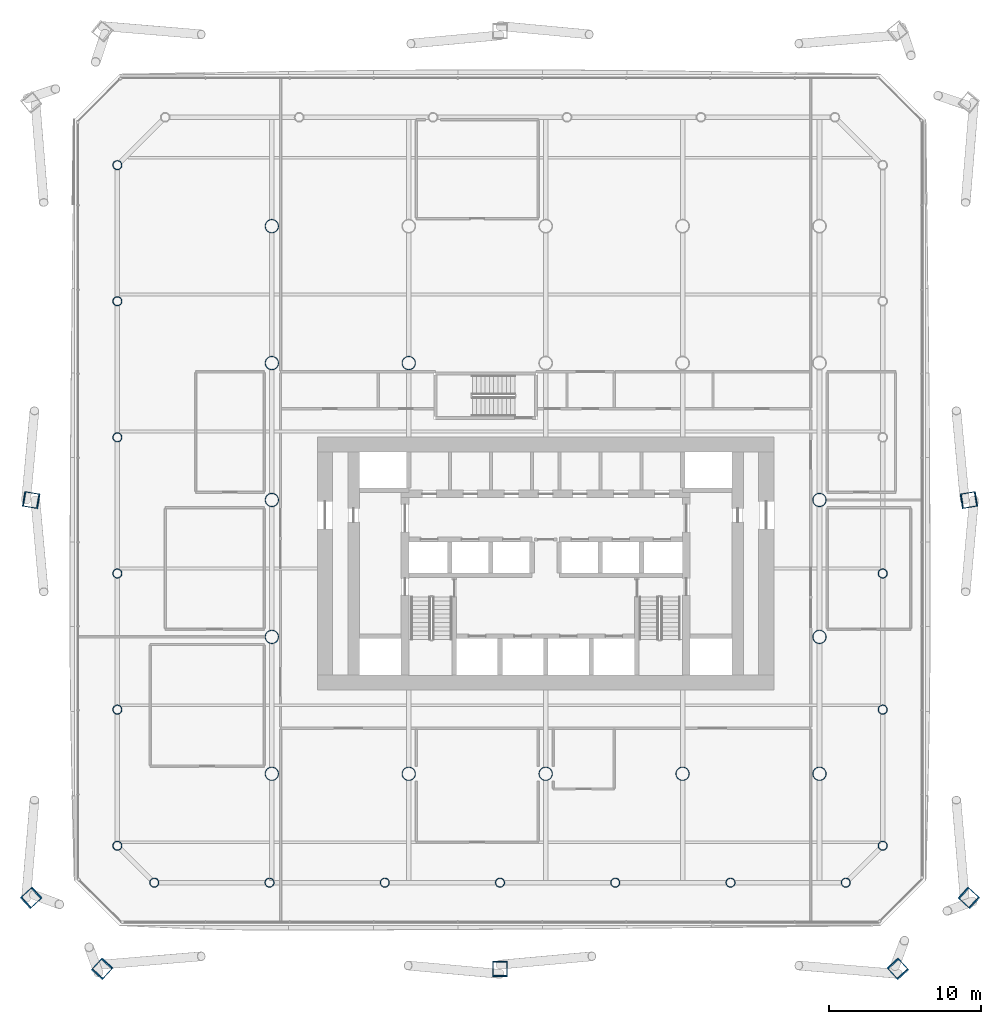
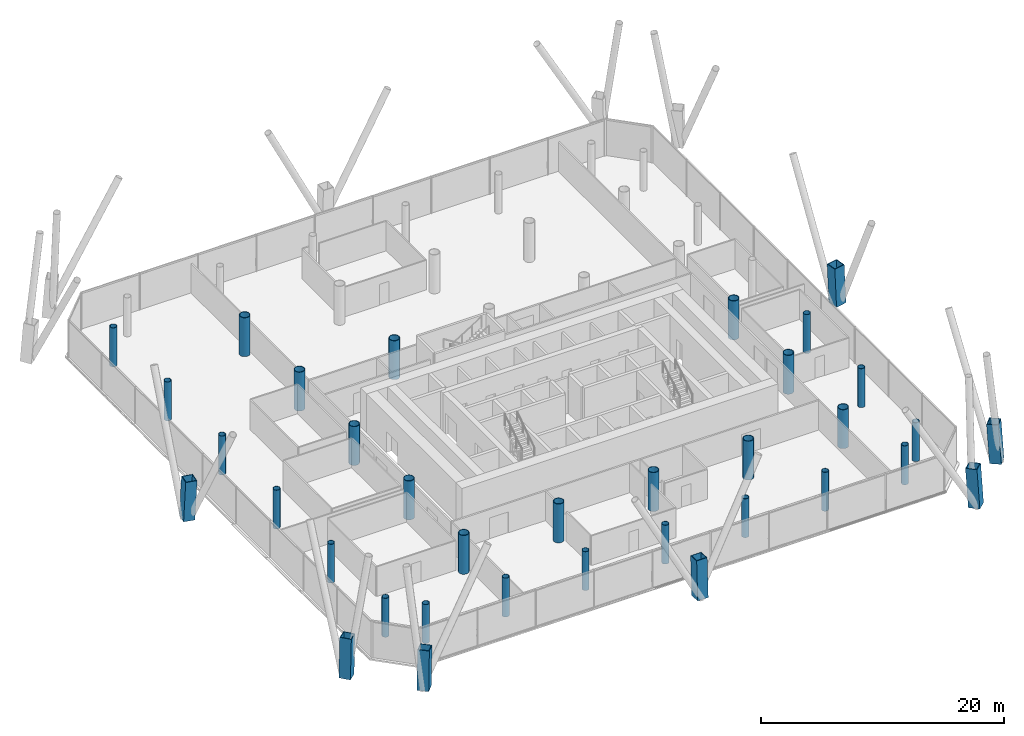
# One storey, part 1 of 25: 35 columns.
"""IFC4 building model written with IfcOpenShell, lengths in metres."""

import ifcopenshell
import ifcopenshell.guid

model = None  # the IFC model being written
_history = None  # IfcOwnerHistory: only IFC2X3 demands one
_inside = {}  # id of a spatial element -> (the spatial element, [elements in it])
_under = {}  # id of a project, library or spatial element -> (it, [spatial elements below it])
_declared = {}  # id of a project -> (the project, [libraries it declares])
_typed = {}  # id of a type object -> (the type object, [elements of that type])
_made_of = {}  # id of a material, layer set ... -> (it, [elements and type objects made of it])


def new_model(schema):
    """Start an empty IFC model of exactly this schema.

    Asked for "IFC4X3", IfcOpenShell would pick the latest addendum, in which some entities
    have other attributes; the version numbers below select the first issue.
    IFC2X3 requires an IfcOwnerHistory on every rooted entity: one is made here for all.
    """
    global model, _history
    if schema == "IFC4X3":
        model = ifcopenshell.file(schema_version=(4, 3, 0, 0))
    else:
        model = ifcopenshell.file(schema=schema)
    _inside.clear()
    _under.clear()
    _declared.clear()
    _typed.clear()
    _made_of.clear()
    _history = None
    if model.schema == "IFC2X3":
        org = make("IfcOrganization", Name="unknown")
        user = make(
            "IfcPersonAndOrganization",
            ThePerson=make("IfcPerson", FamilyName="unknown"),
            TheOrganization=org,
        )
        app = make(
            "IfcApplication",
            ApplicationDeveloper=org,
            Version="unknown",
            ApplicationFullName="unknown",
            ApplicationIdentifier="unknown",
        )
        _history = make(
            "IfcOwnerHistory",
            OwningUser=user,
            OwningApplication=app,
            ChangeAction="ADDED",
            CreationDate=0,
        )
    return model


def make(cls, **values):
    """One entity of the class cls with the attributes given. An attribute that is None is left unset."""
    return model.create_entity(
        cls, **{name: value for name, value in values.items() if value is not None}
    )


def rooted(cls, **values):
    """An entity with a GlobalId (a new one), such as an element, a storey or a relation."""
    return make(cls, GlobalId=ifcopenshell.guid.new(), OwnerHistory=_history, **values)


def si_unit(unit_type, name, prefix=None):
    """IfcSIUnit, for example si_unit("LENGTHUNIT", "METRE", prefix="MILLI")."""
    return make("IfcSIUnit", UnitType=unit_type, Prefix=prefix, Name=name)


def assignment(units):
    """IfcUnitAssignment: the units of a project."""
    return None if units is None else make("IfcUnitAssignment", Units=units)


def point(xyz):
    """IfcCartesianPoint."""
    return None if xyz is None else make("IfcCartesianPoint", Coordinates=xyz)


def direction(xyz):
    """IfcDirection."""
    return None if xyz is None else make("IfcDirection", DirectionRatios=xyz)


def frame(location, z_axis=None, x_axis=None):
    """IfcAxis2Placement3D, a coordinate frame: its origin and axes. An axis left out is left unset."""
    return make(
        "IfcAxis2Placement3D",
        Location=point(location),
        Axis=direction(z_axis),
        RefDirection=direction(x_axis),
    )


def frame_2d(location, x_axis=None):
    """IfcAxis2Placement2D, a coordinate frame in the plane: its origin and x axis."""
    return make(
        "IfcAxis2Placement2D", Location=point(location), RefDirection=direction(x_axis)
    )


def origin():
    """The frame at (0, 0, 0) with its axes left unset."""
    return frame((0.0, 0.0, 0.0))


def origin_2d():
    """The frame at (0, 0) in the plane with its x axis left unset."""
    return frame_2d((0.0, 0.0))


def place(relative_to, where):
    """IfcLocalPlacement: puts the frame where relative to a parent placement (None: the world)."""
    return make(
        "IfcLocalPlacement", PlacementRelTo=relative_to, RelativePlacement=where
    )


def context(
    kind, dimensions, precision=None, world=None, true_north=None, identifier=None
):
    """IfcGeometricRepresentationContext, for example the 3D "Model" context."""
    return make(
        "IfcGeometricRepresentationContext",
        ContextIdentifier=identifier,
        ContextType=kind,
        CoordinateSpaceDimension=dimensions,
        Precision=precision,
        WorldCoordinateSystem=world,
        TrueNorth=true_north,
    )


def subcontext(parent, identifier, kind, view, scale=None):
    """IfcGeometricRepresentationSubContext, for example "Body" below "Model"."""
    return make(
        "IfcGeometricRepresentationSubContext",
        ContextIdentifier=identifier,
        ContextType=kind,
        ParentContext=parent,
        TargetScale=scale,
        TargetView=view,
    )


def project(units=None, contexts=None):
    """IfcProject with its units and contexts."""
    return rooted(
        "IfcProject",
        Name="project",
        RepresentationContexts=contexts,
        UnitsInContext=assignment(units),
    )


def spatial(cls, under=None, at=None, **own):
    """A site, building, storey or space (cls), placed at a placement, below another one or the project."""
    s = rooted(cls, ObjectPlacement=at, **own)
    if under is not None:
        _under.setdefault(under.id(), (under, []))[1].append(s)
    return s


def profile(cls, at=None, kind="AREA", **sizes):
    """A parametric profile (cls). Its sizes go by their IFC names, for example OverallWidth=200.0."""
    return make(cls, ProfileType=kind, Position=at, **sizes)


def hollow_rectangle(**sizes):
    """IfcRectangleHollowProfileDef."""
    return profile("IfcRectangleHollowProfileDef", **sizes)


def hollow_circle(**sizes):
    """IfcCircleHollowProfileDef."""
    return profile("IfcCircleHollowProfileDef", **sizes)


def extrude(swept, where, along, depth):
    """IfcExtrudedAreaSolid: the profile swept, set in the frame where, extruded along a direction by depth."""
    return make(
        "IfcExtrudedAreaSolid",
        SweptArea=swept,
        Position=where,
        ExtrudedDirection=direction(along),
        Depth=depth,
    )


def shape(context_of_items, identifier, shape_type, items):
    """IfcShapeRepresentation: the items that make up one representation, for example the "Body"."""
    return make(
        "IfcShapeRepresentation",
        ContextOfItems=context_of_items,
        RepresentationIdentifier=identifier,
        RepresentationType=shape_type,
        Items=items,
    )


def material(Name=None, Category=None):
    """IfcMaterial."""
    return make("IfcMaterial", Name=Name, Category=Category)


def material_profile(
    of_material, cross_section, Name=None, Category=None, Priority=None
):
    """IfcMaterialProfile: a cross section and its material."""
    return make(
        "IfcMaterialProfile",
        Name=Name,
        Material=of_material,
        Profile=cross_section,
        Priority=Priority,
        Category=Category,
    )


def profile_set(profiles, Name=None, composite=None):
    """IfcMaterialProfileSet."""
    return make(
        "IfcMaterialProfileSet",
        Name=Name,
        MaterialProfiles=profiles,
        CompositeProfile=composite,
    )


def made_of(thing, what):
    """Note that an element or type object is made of a material, layer set ...; save() writes the relation."""
    if what is not None:
        _made_of.setdefault(what.id(), (what, []))[1].append(thing)
    return thing


def type_object(cls, material=None, **own):
    """A type object (cls), such as IfcWallType, which elements share."""
    return made_of(rooted(cls, **own), material)


def element(
    cls,
    number,
    at=None,
    inside=None,
    cuts=None,
    type_object=None,
    material=None,
    context=None,
    identifier="Body",
    shape_type=None,
    held_by="IfcProductDefinitionShape",
    body=None,
    shapes=None,
    **own,
):
    """One element of the class cls, such as IfcWall. Its Tag is "e" and its number.

    at: its placement. inside: the storey or other place that contains it. cuts: it is an
    opening in that element (IfcRelVoidsElement). A single representation is given by context,
    identifier, shape_type and body (its items); several are given by shapes. held_by: the class
    of the entity that holds the representations. save() writes the other relations.
    """
    e = rooted(cls, Tag="e%d" % number, ObjectPlacement=at, **own)
    if body is not None:
        shapes = [shape(context, identifier, shape_type, body)]
    if shapes is not None:
        e.Representation = make(held_by, Representations=shapes)
    if inside is not None:
        _inside.setdefault(inside.id(), (inside, []))[1].append(e)
    if cuts is not None:
        rooted(
            "IfcRelVoidsElement", RelatingBuildingElement=cuts, RelatedOpeningElement=e
        )
    if type_object is not None:
        _typed.setdefault(type_object.id(), (type_object, []))[1].append(e)
    return made_of(e, material)


def aggregate(whole, parts):
    """IfcRelAggregates: a whole, such as a stair, and the parts it consists of."""
    return rooted("IfcRelAggregates", RelatingObject=whole, RelatedObjects=parts)


def save(model, path):
    """Write the relations noted so far, then the file.

    IfcRelAggregates (storeys below a building ...), IfcRelContainedInSpatialStructure (elements
    in a storey), IfcRelDefinesByType, IfcRelAssociatesMaterial and IfcRelDeclares: one each for
    every whole, place, type object, material and project.
    """
    for whole, parts in _under.values():
        aggregate(whole, parts)
    for where, things in _inside.values():
        rooted(
            "IfcRelContainedInSpatialStructure",
            RelatedElements=things,
            RelatingStructure=where,
        )
    for kind, things in _typed.values():
        rooted("IfcRelDefinesByType", RelatedObjects=things, RelatingType=kind)
    for what, things in _made_of.values():
        rooted("IfcRelAssociatesMaterial", RelatedObjects=things, RelatingMaterial=what)
    for by, libraries in _declared.values():
        rooted("IfcRelDeclares", RelatingContext=by, RelatedDefinitions=libraries)
    model.write(path)


model = new_model("IFC4")

# Units and contexts
model_context = context("Model", 3, precision=1e-05, world=origin(), true_north=direction((0.0, 1.0)))
body_context = subcontext(model_context, "Body", "Model", "MODEL_VIEW")
ifc_project = project(units=[si_unit("LENGTHUNIT", "METRE"), si_unit("AREAUNIT", "SQUARE_METRE"), si_unit("VOLUMEUNIT", "CUBIC_METRE"), si_unit("PLANEANGLEUNIT", "RADIAN"), si_unit("MASSUNIT", "GRAM", prefix="KILO")], contexts=[model_context])

# Site, building, storey
site_placement = place(None, origin())
site = spatial("IfcSite", under=ifc_project, at=site_placement, CompositionType="ELEMENT")
building_placement = place(site_placement, origin())
building = spatial("IfcBuilding", under=site, at=building_placement, Name="Tskaro Facet Tower", CompositionType="ELEMENT")
storey_placement = place(building_placement, frame((0.0, 0.0, 10.800048828125)))
storey = spatial("IfcBuildingStorey", under=building, at=storey_placement, Name="L01", CompositionType="ELEMENT", Elevation=10.800048828125)

# Columns
ifc_material_1 = material(Name="Steel S460M", Category="steel")
ifc_material_profile_1 = material_profile(ifc_material_1, hollow_rectangle(XDim=1.0, YDim=1.0, WallThickness=0.06005859375, at=origin_2d()), Name="BOX 1000x1000x60")
ifc_profile_set_1 = profile_set([ifc_material_profile_1], Name="Steel S460M")
column_type_1 = type_object("IfcColumnType", Name="BOX 1000x1000x60 mega column", PredefinedType="COLUMN", material=ifc_profile_set_1)
column_1_placement = place(storey_placement, frame((-29.180908203125, -30.85009765625, 0.0), z_axis=(0.042733391289, 0.046856788695, 0.997987123475), x_axis=(-0.738869281565, 0.673848784787, 0.0)))
element("IfcColumn", 1, at=column_1_placement, inside=storey, type_object=column_type_1, Name="BOX 1000x1000x60 MC01/1", PredefinedType="COLUMN", context=body_context, shape_type="SweptSolid", body=[
    extrude(hollow_rectangle(XDim=1.0, YDim=1.0, WallThickness=0.06005859375, at=origin_2d()), origin(), (0.0, 0.0, 1.0), 3.90771484375),
])
column_2_placement = place(storey_placement, frame((-3.0, -30.85009765625, 0.0), z_axis=(0.0, 0.046899630973, 0.998899606875), x_axis=(-1.0, 0.0, 0.0)))
element("IfcColumn", 2, at=column_2_placement, inside=storey, type_object=column_type_1, Name="BOX 1000x1000x60 MC02/1", PredefinedType="COLUMN", context=body_context, shape_type="SweptSolid", body=[
    extrude(hollow_rectangle(XDim=1.0, YDim=1.0, WallThickness=0.06005859375, at=origin_2d()), origin(), (0.0, 0.0, 1.0), 3.904296875),
])
for number, where, z_axis, x_axis, name in (
    (3, (23.180908203125, -30.85009765625, 0.0), (-0.042733391289, 0.046856788695, 0.997987123475), (-0.738869281565, -0.673848784787, 0.0), "BOX 1000x1000x60 MC03/1"),
    (4, (27.85009765625, -26.180908203125, 0.0), (-0.046856788695, 0.042733391289, 0.997987123475), (-0.673848784787, -0.738869281565, 0.0), "BOX 1000x1000x60 MC04/1"),
):
    element("IfcColumn", number, at=place(storey_placement, frame(where, z_axis=z_axis, x_axis=x_axis)), inside=storey, type_object=column_type_1, Name=name, PredefinedType="COLUMN", context=body_context, shape_type="SweptSolid", body=[
        extrude(hollow_rectangle(XDim=1.0, YDim=1.0, WallThickness=0.06005859375, at=origin_2d()), origin(), (0.0, 0.0, 1.0), 3.90771484375),
    ])
for number, where, z_axis, x_axis, name in (
    (5, (27.85009765625, 0.0, 0.0), (-0.046898243748, -0.007691311975, 0.998870060845), (0.161838042552, -0.986817332632, 0.0), "BOX 1000x1000x60 MC05/1"),
    (6, (-33.85009765625, 0.0, 0.0), (0.046898243748, -0.007691311975, 0.998870060845), (0.161838042552, 0.986817332632, 0.0), "BOX 1000x1000x60 MC11/1"),
):
    element("IfcColumn", number, at=place(storey_placement, frame(where, z_axis=z_axis, x_axis=x_axis)), inside=storey, type_object=column_type_1, Name=name, PredefinedType="COLUMN", context=body_context, shape_type="SweptSolid", body=[
        extrude(hollow_rectangle(XDim=1.0, YDim=1.0, WallThickness=0.06005859375, at=origin_2d()), origin(), (0.0, 0.0, 1.0), 3.904296875),
    ])
column_3_placement = place(storey_placement, frame((-33.85009765625, -26.180908203125, 0.0), z_axis=(0.046856788695, 0.042733391289, 0.997987123475), x_axis=(-0.673848784787, 0.738869281565, 0.0)))
element("IfcColumn", 7, at=column_3_placement, inside=storey, type_object=column_type_1, Name="BOX 1000x1000x60 MC12/1", PredefinedType="COLUMN", context=body_context, shape_type="SweptSolid", body=[
    extrude(hollow_rectangle(XDim=1.0, YDim=1.0, WallThickness=0.06005859375, at=origin_2d()), origin(), (0.0, 0.0, 1.0), 3.90771484375),
])
ifc_material_2 = material(Name="Steel S355J2H", Category="steel")
ifc_material_profile_2 = material_profile(ifc_material_2, hollow_circle(Radius=0.304931640625, WallThickness=0.030029296875, at=origin_2d()), Name="CHS 610x30")
ifc_profile_set_2 = profile_set([ifc_material_profile_2], Name="Steel S355J2H")
column_type_2 = type_object("IfcColumnType", Name="CHS 610x30 ring column", PredefinedType="COLUMN", material=ifc_profile_set_2)
for number, where, z_axis, x_axis, name in (
    (8, (-25.72900390625, -25.156982421875, 0.0), (0.0, 0.0, 1.0), (1.0, 0.0, 0.0), "CHS 610x30 RS-1/1"),
    (9, (-18.153076171875, -25.156982421875, 0.0), (0.0, 0.0, 1.0), (1.0, 0.0, 0.0), "CHS 610x30 RS-2/1"),
    (10, (-10.575927734375, -25.156982421875, 0.0), (0.0, 0.0, 1.0), (1.0, 0.0, 0.0), "CHS 610x30 RS-3/1"),
    (11, (-3.0, -25.156982421875, 0.0), (0.0, 0.0, 1.0), (1.0, 0.0, 0.0), "CHS 610x30 RS-4/1"),
    (12, (4.575927734375, -25.156982421875, 0.0), (0.0, 0.0, 1.0), (1.0, 0.0, 0.0), "CHS 610x30 RS-5/1"),
    (13, (12.153076171875, -25.156982421875, 0.0), (0.0, 0.0, 1.0), (1.0, 0.0, 0.0), "CHS 610x30 RS-6/1"),
    (14, (19.72900390625, -25.156982421875, 0.0), (0.0, 0.0, 1.0), (1.0, 0.0, 0.0), "CHS 610x30 RSE-1/1"),
    (15, (22.156982421875, -22.72900390625, 0.0), (0.0, 0.0, 1.0), (1.0, 0.0, 0.0), "CHS 610x30 RE-1/1"),
    (16, (22.156982421875, -13.781005859375, 0.0), (0.0, 0.0, 1.0), (1.0, 0.0, 0.0), "CHS 610x30 RE-2/1"),
    (17, (22.156982421875, -4.8330078125, 0.0), (0.0, 0.0, 1.0), (1.0, 0.0, 0.0), "CHS 610x30 RE-3/1"),
    (18, (-28.156982421875, 22.011962890625, 0.0), (0.0, 0.0, 1.0), (1.0, 0.0, 0.0), "CHS 610x30 RW-1/1"),
    (19, (-28.156982421875, 13.06396484375, 0.0), (0.0, 0.0, 1.0), (1.0, 0.0, 0.0), "CHS 610x30 RW-2/1"),
    (20, (-28.156982421875, 4.115966796875, 0.0), (0.0, 0.0, 1.0), (1.0, 0.0, 0.0), "CHS 610x30 RW-3/1"),
    (21, (-28.156982421875, -4.8330078125, 0.0), (0.0, 0.0, 1.0), (1.0, 0.0, 0.0), "CHS 610x30 RW-4/1"),
    (22, (-28.156982421875, -13.781005859375, 0.0), (0.0, 0.0, 1.0), (1.0, 0.0, 0.0), "CHS 610x30 RW-5/1"),
    (23, (-28.156982421875, -22.72900390625, 0.0), (0.0, 0.0, 1.0), (1.0, 0.0, 0.0), "CHS 610x30 RSW-1/1"),
):
    element("IfcColumn", number, at=place(storey_placement, frame(where, z_axis=z_axis, x_axis=x_axis)), inside=storey, type_object=column_type_2, Name=name, PredefinedType="COLUMN", context=body_context, shape_type="SweptSolid", body=[
        extrude(hollow_circle(Radius=0.304931640625, WallThickness=0.030029296875, at=origin_2d()), origin(), (0.0, 0.0, 1.0), 3.89990234375),
    ])
ifc_material_profile_3 = material_profile(ifc_material_2, hollow_circle(Radius=0.457275390625, WallThickness=0.050048828125, at=origin_2d()), Name="CHS 914.4x50")
ifc_profile_set_3 = profile_set([ifc_material_profile_3], Name="Steel S355J2H")
column_type_3 = type_object("IfcColumnType", Name="CHS 914.4x50 interior column", PredefinedType="COLUMN", material=ifc_profile_set_3)
for number, where, z_axis, x_axis, name in (
    (24, (-18.0, -18.0, 0.0), (0.0, 0.0, 1.0), (1.0, 0.0, 0.0), "CHS 914.4x50 C2B/1"),
    (25, (-18.0, -9.0, 0.0), (0.0, 0.0, 1.0), (1.0, 0.0, 0.0), "CHS 914.4x50 C2C/1"),
    (26, (-18.0, 0.0, 0.0), (0.0, 0.0, 1.0), (1.0, 0.0, 0.0), "CHS 914.4x50 C2D/1"),
    (27, (-18.0, 9.0, 0.0), (0.0, 0.0, 1.0), (1.0, 0.0, 0.0), "CHS 914.4x50 C2E/1"),
    (28, (-18.0, 18.0, 0.0), (0.0, 0.0, 1.0), (1.0, 0.0, 0.0), "CHS 914.4x50 C2F/1"),
    (29, (-9.0, -18.0, 0.0), (0.0, 0.0, 1.0), (1.0, 0.0, 0.0), "CHS 914.4x50 C3B/1"),
    (30, (-9.0, 9.0, 0.0), (0.0, 0.0, 1.0), (1.0, 0.0, 0.0), "CHS 914.4x50 C3E/1"),
    (31, (0.0, -18.0, 0.0), (0.0, 0.0, 1.0), (1.0, 0.0, 0.0), "CHS 914.4x50 C4B/1"),
    (32, (9.0, -18.0, 0.0), (0.0, 0.0, 1.0), (1.0, 0.0, 0.0), "CHS 914.4x50 C5B/1"),
    (33, (18.0, -18.0, 0.0), (0.0, 0.0, 1.0), (1.0, 0.0, 0.0), "CHS 914.4x50 C6B/1"),
    (34, (18.0, -9.0, 0.0), (0.0, 0.0, 1.0), (1.0, 0.0, 0.0), "CHS 914.4x50 C6C/1"),
    (35, (18.0, 0.0, 0.0), (0.0, 0.0, 1.0), (1.0, 0.0, 0.0), "CHS 914.4x50 C6D/1"),
):
    element("IfcColumn", number, at=place(storey_placement, frame(where, z_axis=z_axis, x_axis=x_axis)), inside=storey, type_object=column_type_3, Name=name, PredefinedType="COLUMN", context=body_context, shape_type="SweptSolid", body=[
        extrude(hollow_circle(Radius=0.457275390625, WallThickness=0.050048828125, at=origin_2d()), origin(), (0.0, 0.0, 1.0), 3.89990234375),
    ])

save(model, "model.ifc")
